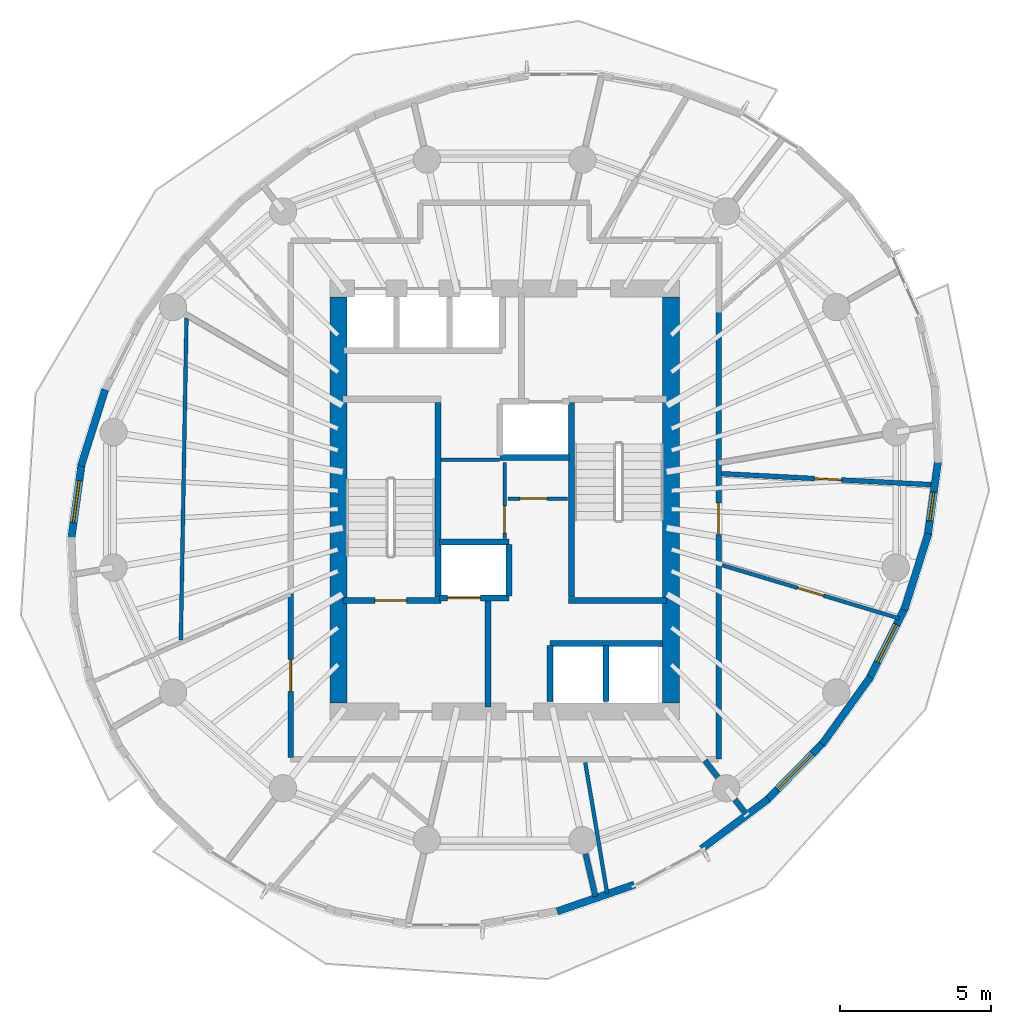
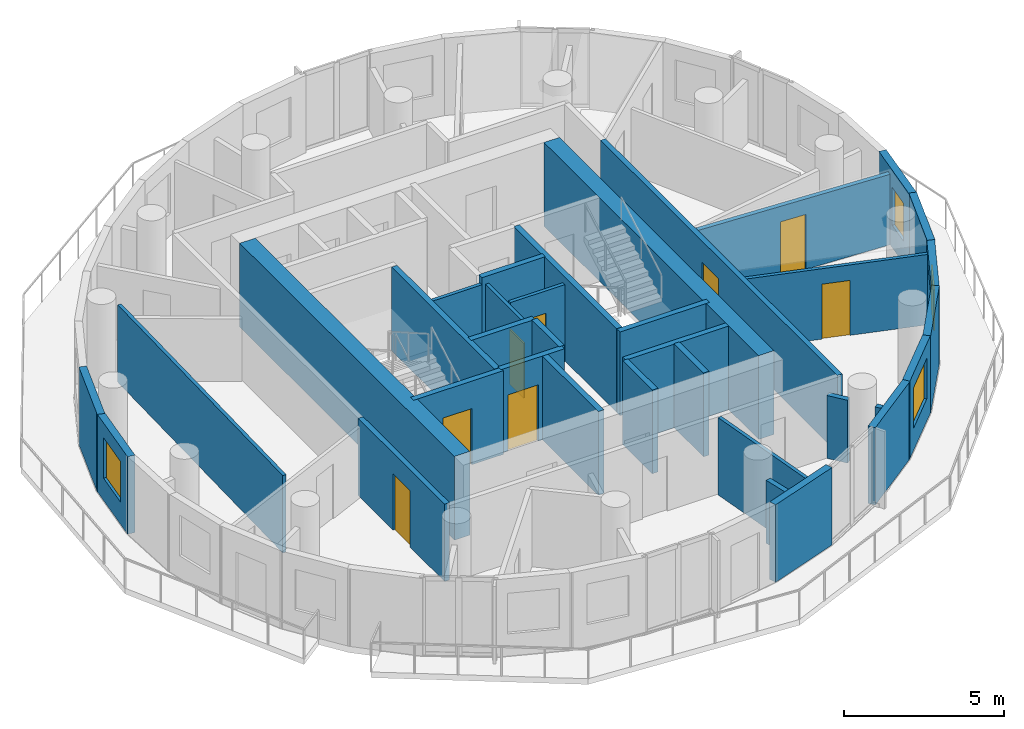
# One storey, part 5 of 10: 35 walls, 8 doors, 4 windows, 12 openings.
"""IFC4 building model written with IfcOpenShell, lengths in metres."""

from ifc_helpers import new_model, si_unit, direction, frame, frame_2d, origin, place, context, subcontext, project, spatial, rectangle, extrude, material, layer, layer_set, type_object, element, fill, save


model = new_model("IFC4")

# Units and contexts
model_context = context("Model", 3, precision=1e-05, world=origin(), true_north=direction((0.0, 1.0)))
body_context = subcontext(model_context, "Body", "Model", "MODEL_VIEW")
ifc_project = project(units=[si_unit("LENGTHUNIT", "METRE"), si_unit("AREAUNIT", "SQUARE_METRE"), si_unit("VOLUMEUNIT", "CUBIC_METRE"), si_unit("PLANEANGLEUNIT", "RADIAN"), si_unit("MASSUNIT", "GRAM", prefix="KILO")], contexts=[model_context])

# Site, building, storey
site_placement = place(None, origin())
site = spatial("IfcSite", under=ifc_project, at=site_placement, CompositionType="ELEMENT")
building_placement = place(site_placement, origin())
building = spatial("IfcBuilding", under=site, at=building_placement, Name="Veldorim Arch Residences", CompositionType="ELEMENT")
storey_placement = place(building_placement, frame((0.0, 0.0, 169.43994140625)))
storey = spatial("IfcBuildingStorey", under=building, at=storey_placement, Name="L50", CompositionType="ELEMENT", Elevation=169.43994140625)

# Wall, opening, door
ifc_material_1 = material(Name="Acoustic Gypsum Board", Category="gypsum")
ifc_layer_1 = layer(ifc_material_1, 0.125, Name="Acoustic Stud Room Partition Wall 125")
ifc_layer_set_1 = layer_set([ifc_layer_1], Name="Acoustic Gypsum Board")
wall_type_1 = type_object("IfcWallType", Name="Acoustic Stud Room Partition Wall 125", PredefinedType="PARTITIONING", material=ifc_layer_set_1)
wall_1_placement = place(storey_placement, frame((32.0, 22.719970703125, 0.0), z_axis=(0.0, 0.0, 1.0), x_axis=(0.0, 1.0, 0.0)))
wall_1 = element("IfcWall", 1, at=wall_1_placement, inside=storey, type_object=wall_type_1, Name="L50 interior wall WL-CA-L50-1", PredefinedType="PARTITIONING", context=body_context, shape_type="SweptSolid", body=[
    extrude(rectangle(XDim=2.52001953125, YDim=0.125, at=frame_2d((1.260009765625, 0.0))), origin(), (0.0, 0.0, 1.0), 2.955078125),
])
opening_1_placement = place(wall_1_placement, frame((0.179931640625, 0.0, 0.0)))
opening_1 = element("IfcOpeningElement", 2, at=opening_1_placement, cuts=wall_1, Name="Opening DR-SVC", PredefinedType="OPENING", context=body_context, shape_type="SweptSolid", body=[
    extrude(rectangle(XDim=0.89990234375, YDim=2.10009765625, at=frame_2d((0.449951171875, 1.050048828125))), frame((0.0, 0.072509765625, 0.0), z_axis=(0.0, -1.0, 0.0), x_axis=(1.0, 0.0, 0.0)), (0.0, 0.0, 1.0), 0.14501953125),
])
ifc_material_2 = material(Name="Fire-Rated Steel", Category="steel")
door_type_1 = type_object("IfcDoorType", Name="Riser, Shelter & Plant Room Rated Steel Door 900x2100", OperationType="SINGLE_SWING_LEFT", PredefinedType="DOOR", material=ifc_material_2)
door_1_placement = place(opening_1_placement, origin())
door_1 = element("IfcDoor", 3, at=door_1_placement, inside=storey, type_object=door_type_1, Name="L50 interior door DR-L50-CA2", OperationType="SINGLE_SWING_RIGHT", OverallHeight=2.10009765625, OverallWidth=0.89990234375, PredefinedType="DOOR", context=body_context, shape_type="SweptSolid", body=[
    extrude(rectangle(XDim=0.89990234375, YDim=2.10009765625, at=frame_2d((0.449951171875, 1.050048828125))), frame((0.0, 0.02490234375, 0.0), z_axis=(0.0, -1.0, 0.0), x_axis=(1.0, 0.0, 0.0)), (0.0, 0.0, 1.0), 0.050048828125),
])
fill(opening_1, door_1)

wall_2_placement = place(storey_placement, frame((32.110107421875, 24.0400390625, 0.0), z_axis=(0.0, 0.0, 1.0), x_axis=(1.0, 0.0, 0.0)))
wall_2 = element("IfcWall", 4, at=wall_2_placement, inside=storey, type_object=wall_type_1, Name="L50 interior wall WL-CA-L50-3", PredefinedType="PARTITIONING", context=body_context, shape_type="SweptSolid", body=[
    extrude(rectangle(XDim=1.969970703125, YDim=0.125, at=frame_2d((0.98486328125, 0.0))), origin(), (0.0, 0.0, 1.0), 2.955078125),
])
opening_2_placement = place(wall_2_placement, frame((0.389892578125, 0.0, 0.0)))
opening_2 = element("IfcOpeningElement", 5, at=opening_2_placement, cuts=wall_2, Name="Opening DR-INT", PredefinedType="OPENING", context=body_context, shape_type="SweptSolid", body=[
    extrude(rectangle(XDim=0.89990234375, YDim=2.10009765625, at=frame_2d((0.449951171875, 1.050048828125))), frame((0.0, 0.072509765625, 0.0), z_axis=(0.0, -1.0, 0.0), x_axis=(1.0, 0.0, 0.0)), (0.0, 0.0, 1.0), 0.14501953125),
])
ifc_material_3 = material(Name="Engineered Timber", Category="wood")
door_type_2 = type_object("IfcDoorType", Name="Apartment Internal Room Timber Door 900x2100", OperationType="SINGLE_SWING_LEFT", PredefinedType="DOOR", material=ifc_material_3)
door_2_placement = place(opening_2_placement, origin())
door_2 = element("IfcDoor", 6, at=door_2_placement, inside=storey, type_object=door_type_2, Name="L50 interior door DR-L50-CA1", OperationType="SINGLE_SWING_LEFT", OverallHeight=2.10009765625, OverallWidth=0.89990234375, PredefinedType="DOOR", context=body_context, shape_type="SweptSolid", body=[
    extrude(rectangle(XDim=0.89990234375, YDim=2.10009765625, at=frame_2d((0.449951171875, 1.050048828125))), frame((0.0, 0.02490234375, 0.0), z_axis=(0.0, -1.0, 0.0), x_axis=(1.0, 0.0, 0.0)), (0.0, 0.0, 1.0), 0.050048828125),
])
fill(opening_2, door_2)

# Walls
wall_3_placement = place(storey_placement, frame((29.889892578125, 25.330078125, 0.0), z_axis=(0.0, 0.0, 1.0), x_axis=(1.0, 0.0, 0.0)))
element("IfcWall", 7, at=wall_3_placement, inside=storey, type_object=wall_type_1, Name="L50 interior wall WL-CA-L50-N", PredefinedType="PARTITIONING", context=body_context, shape_type="SweptSolid", body=[
    extrude(rectangle(XDim=1.940185546875, YDim=0.125, at=frame_2d((0.97021484375, 0.0))), origin(), (0.0, 0.0, 1.0), 2.955078125),
])
wall_4_placement = place(storey_placement, frame((35.3935546875, 10.964599609375, 0.0), z_axis=(0.0, 0.0, 1.0), x_axis=(-0.164741128257, 0.986336839351, 0.0)))
element("IfcWall", 8, at=wall_4_placement, inside=storey, type_object=wall_type_1, Name="L50 interior wall WL-RES-L50-011", PredefinedType="PARTITIONING", context=body_context, shape_type="SweptSolid", body=[
    extrude(rectangle(XDim=4.39697265625, YDim=0.125, at=frame_2d((2.198486328125, 0.0))), origin(), (0.0, 0.0, 1.0), 2.955078125),
])

# Wall, opening, door
wall_5_placement = place(storey_placement, frame((45.06103515625, 20.07666015625, 0.0), z_axis=(0.0, 0.0, 1.0), x_axis=(-0.957731888454, 0.287662353878, 0.0)))
wall_5 = element("IfcWall", 9, at=wall_5_placement, inside=storey, type_object=wall_type_1, Name="L50 interior wall WL-RES-L50-015", PredefinedType="PARTITIONING", context=body_context, shape_type="SweptSolid", body=[
    extrude(rectangle(XDim=6.125, YDim=0.125, at=frame_2d((3.0625, 0.0))), origin(), (0.0, 0.0, 1.0), 2.692138671875),
])
opening_3_placement = place(wall_5_placement, frame((2.612548828125, 0.0, 0.0)))
opening_3 = element("IfcOpeningElement", 10, at=opening_3_placement, cuts=wall_5, Name="Opening DR-INT", PredefinedType="OPENING", context=body_context, shape_type="SweptSolid", body=[
    extrude(rectangle(XDim=0.89990234375, YDim=2.10009765625, at=frame_2d((0.449951171875, 1.050048828125))), frame((0.0, 0.072509765625, 0.0), z_axis=(0.0, -1.0, 0.0), x_axis=(1.0, 0.0, 0.0)), (0.0, 0.0, 1.0), 0.14501953125),
])
door_3_placement = place(opening_3_placement, origin())
door_3 = element("IfcDoor", 11, at=door_3_placement, inside=storey, type_object=door_type_2, Name="L50 interior door DR-RES-L50-005", OperationType="SINGLE_SWING_LEFT", OverallHeight=2.10009765625, OverallWidth=0.89990234375, PredefinedType="DOOR", context=body_context, shape_type="SweptSolid", body=[
    extrude(rectangle(XDim=0.89990234375, YDim=2.10009765625, at=frame_2d((0.449951171875, 1.050048828125))), frame((0.0, 0.02490234375, 0.0), z_axis=(0.0, -1.0, 0.0), x_axis=(1.0, 0.0, 0.0)), (0.0, 0.0, 1.0), 0.050048828125),
])
fill(opening_3, door_3)

# Walls
wall_6_placement = place(storey_placement, frame((21.46923828125, 30.0185546875, 0.0), z_axis=(0.0, 0.0, 1.0), x_axis=(-0.017526694913, -0.999846395686, 0.0)))
element("IfcWall", 12, at=wall_6_placement, inside=storey, type_object=wall_type_1, Name="L50 interior wall WL-RES-L50-027", PredefinedType="PARTITIONING", context=body_context, shape_type="SweptSolid", body=[
    extrude(rectangle(XDim=10.65625, YDim=0.125, at=frame_2d((5.328125, 0.0))), origin(), (0.0, 0.0, 1.0), 2.955078125),
])
ifc_material_4 = material(Name="Lightweight Masonry Block & Gypsum", Category="masonry")
ifc_layer_2 = layer(ifc_material_4, 0.179931640625, Name="Compartment & Corridor Fire-Rated Party Wall 180")
ifc_layer_set_2 = layer_set([ifc_layer_2], Name="Lightweight Masonry Block & Gypsum")
wall_type_2 = type_object("IfcWallType", Name="Compartment & Corridor Fire-Rated Party Wall 180", PredefinedType="PARTITIONING", material=ifc_layer_set_2)
wall_7_placement = place(storey_placement, frame((34.679931640625, 12.282470703125, 0.0), z_axis=(0.0, 0.0, 1.0), x_axis=(0.22299884629, -0.974818708557, 0.0)))
element("IfcWall", 13, at=wall_7_placement, inside=storey, type_object=wall_type_2, Name="L50 interior wall WL-PIER-L50-13", PredefinedType="PARTITIONING", context=body_context, shape_type="SweptSolid", body=[
    extrude(rectangle(XDim=1.447265625, YDim=0.179931640625, at=frame_2d((0.7236328125, 0.0))), origin(), (0.0, 0.0, 1.0), 2.403564453125),
])
wall_8_placement = place(storey_placement, frame((39.619873046875, 14.08203125, 0.0), z_axis=(0.0, 0.0, 1.0), x_axis=(0.609274747308, -0.792959193334, 0.0)))
element("IfcWall", 14, at=wall_8_placement, inside=storey, type_object=wall_type_2, Name="L50 interior wall WL-PIER-L50-14", PredefinedType="PARTITIONING", context=body_context, shape_type="SweptSolid", body=[
    extrude(rectangle(XDim=0.595458984375, YDim=0.179931640625, at=frame_2d((0.2978515625, 0.0))), origin(), (0.0, 0.0, 1.0), 2.403564453125),
])

# Wall, opening, door
wall_9_placement = place(storey_placement, frame((39.080078125, 30.247802734375, 0.0), z_axis=(0.0, 0.0, 1.0), x_axis=(0.0, -1.0, 0.0)))
wall_9 = element("IfcWall", 15, at=wall_9_placement, inside=storey, type_object=wall_type_2, Name="L50 interior wall WL-RES-L50-002", PredefinedType="PARTITIONING", context=body_context, shape_type="SweptSolid", body=[
    extrude(rectangle(XDim=14.827880859375, YDim=0.179931640625, at=frame_2d((7.4140625, 0.0))), origin(), (0.0, 0.0, 1.0), 2.955078125),
])
opening_4_placement = place(wall_9_placement, frame((6.3505859375, 0.0, 0.0)))
opening_4 = element("IfcOpeningElement", 16, at=opening_4_placement, cuts=wall_9, Name="Opening DR-FLT", PredefinedType="OPENING", context=body_context, shape_type="SweptSolid", body=[
    extrude(rectangle(XDim=1.050048828125, YDim=2.14990234375, at=frame_2d((0.52490234375, 1.074951171875))), frame((0.0, 0.099853515625, 0.0), z_axis=(0.0, -1.0, 0.0), x_axis=(1.0, 0.0, 0.0)), (0.0, 0.0, 1.0), 0.199951171875),
])
ifc_material_5 = material(Name="Fire-Rated Timber", Category="wood")
door_type_3 = type_object("IfcDoorType", Name="Apartment Entrance Solid-Core Fire Door 1050x2150", OperationType="SINGLE_SWING_LEFT", PredefinedType="DOOR", material=ifc_material_5)
door_4_placement = place(opening_4_placement, origin())
door_4 = element("IfcDoor", 17, at=door_4_placement, inside=storey, type_object=door_type_3, Name="L50 interior door DR-RES-L50-003", OperationType="SINGLE_SWING_LEFT", OverallHeight=2.14990234375, OverallWidth=1.050048828125, PredefinedType="DOOR", context=body_context, shape_type="SweptSolid", body=[
    extrude(rectangle(XDim=1.050048828125, YDim=2.14990234375, at=frame_2d((0.52490234375, 1.074951171875))), frame((0.0, 0.02490234375, 0.0), z_axis=(0.0, -1.0, 0.0), x_axis=(1.0, 0.0, 0.0)), (0.0, 0.0, 1.0), 0.050048828125),
])
fill(opening_4, door_4)

wall_10_placement = place(storey_placement, frame((24.919921875, 15.47998046875, 0.0), z_axis=(0.0, 0.0, 1.0), x_axis=(0.0, 1.0, 0.0)))
wall_10 = element("IfcWall", 18, at=wall_10_placement, inside=storey, type_object=wall_type_2, Name="L50 interior wall WL-RES-L50-010", PredefinedType="PARTITIONING", context=body_context, shape_type="SweptSolid", body=[
    extrude(rectangle(XDim=5.411865234375, YDim=0.179931640625, at=frame_2d((2.7060546875, 0.0))), origin(), (0.0, 0.0, 1.0), 2.955078125),
])
opening_5_placement = place(wall_10_placement, frame((2.180908203125, 0.0, 0.0)))
opening_5 = element("IfcOpeningElement", 19, at=opening_5_placement, cuts=wall_10, Name="Opening DR-FLT", PredefinedType="OPENING", context=body_context, shape_type="SweptSolid", body=[
    extrude(rectangle(XDim=1.050048828125, YDim=2.14990234375, at=frame_2d((0.52490234375, 1.074951171875))), frame((0.0, 0.099853515625, 0.0), z_axis=(0.0, -1.0, 0.0), x_axis=(1.0, 0.0, 0.0)), (0.0, 0.0, 1.0), 0.199951171875),
])
door_5_placement = place(opening_5_placement, origin())
door_5 = element("IfcDoor", 20, at=door_5_placement, inside=storey, type_object=door_type_3, Name="L50 interior door DR-RES-L50-013", OperationType="SINGLE_SWING_LEFT", OverallHeight=2.14990234375, OverallWidth=1.050048828125, PredefinedType="DOOR", context=body_context, shape_type="SweptSolid", body=[
    extrude(rectangle(XDim=1.050048828125, YDim=2.14990234375, at=frame_2d((0.52490234375, 1.074951171875))), frame((0.0, 0.02490234375, 0.0), z_axis=(0.0, -1.0, 0.0), x_axis=(1.0, 0.0, 0.0)), (0.0, 0.0, 1.0), 0.050048828125),
])
fill(opening_5, door_5)

# Walls
wall_11_placement = place(storey_placement, frame((38.62841796875, 15.372314453125, 0.0), z_axis=(0.0, 0.0, 1.0), x_axis=(0.609304996033, -0.792935950635, 0.0)))
element("IfcWall", 21, at=wall_11_placement, inside=storey, type_object=wall_type_2, Name="L50 interior wall WL-RES-L50-012", PredefinedType="PARTITIONING", context=body_context, shape_type="SweptSolid", body=[
    extrude(rectangle(XDim=0.697998046875, YDim=0.179931640625, at=frame_2d((0.34912109375, 0.0))), origin(), (0.0, 0.0, 1.0), 2.403564453125),
])
ifc_material_6 = material(Name="Concrete C50/60", Category="concrete")
ifc_layer_3 = layer(ifc_material_6, 0.199951171875, Name="Core Stair & Lift Shaft Enclosure Wall 200")
ifc_layer_set_3 = layer_set([ifc_layer_3], Name="Concrete C50/60")
wall_type_3 = type_object("IfcWallType", Name="Core Stair & Lift Shaft Enclosure Wall 200", PredefinedType="SHEAR", material=ifc_layer_set_3)
wall_12_placement = place(storey_placement, frame((29.7900390625, 20.780029296875, 0.0), z_axis=(0.0, 0.0, 1.0), x_axis=(0.0, 1.0, 0.0)))
element("IfcWall", 22, at=wall_12_placement, inside=storey, type_object=wall_type_3, Name="L50 shaft wall WL-SHF-L50-ST1-E", PredefinedType="SHEAR", context=body_context, shape_type="SweptSolid", body=[
    extrude(rectangle(XDim=6.43994140625, YDim=0.199951171875, at=frame_2d((3.219970703125, 0.0))), origin(), (0.0, 0.0, 1.0), 3.199951171875),
])

# Wall, opening, door
wall_13_placement = place(storey_placement, frame((26.64990234375, 20.669921875, 0.0), z_axis=(0.0, 0.0, 1.0), x_axis=(1.0, 0.0, 0.0)))
wall_13 = element("IfcWall", 23, at=wall_13_placement, inside=storey, type_object=wall_type_3, Name="L50 shaft wall WL-SHF-L50-ST1-S", PredefinedType="SHEAR", context=body_context, shape_type="SweptSolid", body=[
    extrude(rectangle(XDim=3.239990234375, YDim=0.199951171875, at=frame_2d((1.6201171875, 0.0))), origin(), (0.0, 0.0, 1.0), 3.199951171875),
])
opening_6_placement = place(wall_13_placement, frame((1.054931640625, 0.0, 0.0)))
opening_6 = element("IfcOpeningElement", 24, at=opening_6_placement, cuts=wall_13, Name="Opening DR-ST", PredefinedType="OPENING", context=body_context, shape_type="SweptSolid", body=[
    extrude(rectangle(XDim=1.050048828125, YDim=2.14990234375, at=frame_2d((0.52490234375, 1.074951171875))), frame((0.0, 0.10986328125, 0.0), z_axis=(0.0, -1.0, 0.0), x_axis=(1.0, 0.0, 0.0)), (0.0, 0.0, 1.0), 0.219970703125),
])
ifc_material_7 = material(Name="Fire-Rated Steel", Category="steel")
door_type_4 = type_object("IfcDoorType", Name="Exit Staircase Self-Closing Fire Door 1050x2150", OperationType="SINGLE_SWING_LEFT", PredefinedType="DOOR", material=ifc_material_7)
door_6_placement = place(opening_6_placement, origin())
door_6 = element("IfcDoor", 25, at=door_6_placement, inside=storey, type_object=door_type_4, Name="L50 interior door DR-L50-ST1", OperationType="SINGLE_SWING_LEFT", OverallHeight=2.14990234375, OverallWidth=1.050048828125, PredefinedType="DOOR", context=body_context, shape_type="SweptSolid", body=[
    extrude(rectangle(XDim=1.050048828125, YDim=2.14990234375, at=frame_2d((0.52490234375, 1.074951171875))), frame((0.0, 0.02490234375, 0.0), z_axis=(0.0, -1.0, 0.0), x_axis=(1.0, 0.0, 0.0)), (0.0, 0.0, 1.0), 0.050048828125),
])
fill(opening_6, door_6)

# Walls
wall_14_placement = place(storey_placement, frame((34.2099609375, 20.780029296875, 0.0), z_axis=(0.0, 0.0, 1.0), x_axis=(0.0, 1.0, 0.0)))
element("IfcWall", 26, at=wall_14_placement, inside=storey, type_object=wall_type_3, Name="L50 shaft wall WL-SHF-L50-ST2-W", PredefinedType="SHEAR", context=body_context, shape_type="SweptSolid", body=[
    extrude(rectangle(XDim=6.43994140625, YDim=0.199951171875, at=frame_2d((3.219970703125, 0.0))), origin(), (0.0, 0.0, 1.0), 3.199951171875),
])
wall_15_placement = place(storey_placement, frame((34.110107421875, 20.669921875, 0.0), z_axis=(0.0, 0.0, 1.0), x_axis=(1.0, 0.0, 0.0)))
element("IfcWall", 27, at=wall_15_placement, inside=storey, type_object=wall_type_3, Name="L50 shaft wall WL-SHF-L50-ST2-S", PredefinedType="SHEAR", context=body_context, shape_type="SweptSolid", body=[
    extrude(rectangle(XDim=3.239990234375, YDim=0.199951171875, at=frame_2d((1.6201171875, 0.0))), origin(), (0.0, 0.0, 1.0), 3.199951171875),
])
wall_16_placement = place(storey_placement, frame((31.449951171875, 17.14990234375, 0.0), z_axis=(0.0, 0.0, 1.0), x_axis=(0.0, 1.0, 0.0)))
element("IfcWall", 28, at=wall_16_placement, inside=storey, type_object=wall_type_3, Name="L50 shaft wall WL-FFL1-L50-E", PredefinedType="SHEAR", context=body_context, shape_type="SweptSolid", body=[
    extrude(rectangle(XDim=3.5, YDim=0.199951171875, at=frame_2d((1.75, 0.0))), origin(), (0.0, 0.0, 1.0), 3.199951171875),
])

# Wall, opening, door
wall_17_placement = place(storey_placement, frame((29.85009765625, 20.75, 0.0), z_axis=(0.0, 0.0, 1.0), x_axis=(1.0, 0.0, 0.0)))
wall_17 = element("IfcWall", 29, at=wall_17_placement, inside=storey, type_object=wall_type_3, Name="L50 shaft wall WL-FL01-L50-S", PredefinedType="SHEAR", context=body_context, shape_type="SweptSolid", body=[
    extrude(rectangle(XDim=2.2998046875, YDim=0.199951171875, at=frame_2d((1.14990234375, 0.0))), origin(), (0.0, 0.0, 1.0), 3.199951171875),
])
opening_7_placement = place(wall_17_placement, frame((0.25, 0.0, 0.0)))
opening_7 = element("IfcOpeningElement", 30, at=opening_7_placement, cuts=wall_17, Name="Opening LD-FF", PredefinedType="OPENING", context=body_context, shape_type="SweptSolid", body=[
    extrude(rectangle(XDim=1.10009765625, YDim=2.14990234375, at=frame_2d((0.550048828125, 1.074951171875))), frame((0.0, 0.10986328125, 0.0), z_axis=(0.0, -1.0, 0.0), x_axis=(1.0, 0.0, 0.0)), (0.0, 0.0, 1.0), 0.219970703125),
])
ifc_material_8 = material(Name="Stainless Steel", Category="steel")
door_type_5 = type_object("IfcDoorType", Name="Firefighting Lift Bi-Parting Sliding Landing Door 1100x2150", OperationType="DOUBLE_DOOR_SLIDING", PredefinedType="DOOR", material=ifc_material_8)
door_7_placement = place(opening_7_placement, origin())
door_7 = element("IfcDoor", 31, at=door_7_placement, inside=storey, type_object=door_type_5, Name="L50 lift landing door LD-L50-FL01", OperationType="DOUBLE_DOOR_SLIDING", OverallHeight=2.14990234375, OverallWidth=1.10009765625, PredefinedType="DOOR", context=body_context, shape_type="SweptSolid", body=[
    extrude(rectangle(XDim=1.10009765625, YDim=2.14990234375, at=frame_2d((0.550048828125, 1.074951171875))), frame((0.0, 0.02490234375, 0.0), z_axis=(0.0, -1.0, 0.0), x_axis=(1.0, 0.0, 0.0)), (0.0, 0.0, 1.0), 0.050048828125),
])
fill(opening_7, door_7)

# Walls
wall_18_placement = place(storey_placement, frame((29.85009765625, 22.60009765625, 0.0), z_axis=(0.0, 0.0, 1.0), x_axis=(1.0, 0.0, 0.0)))
element("IfcWall", 32, at=wall_18_placement, inside=storey, type_object=wall_type_3, Name="L50 shaft wall WL-FL01-L50-N", PredefinedType="SHEAR", context=body_context, shape_type="SweptSolid", body=[
    extrude(rectangle(XDim=2.2998046875, YDim=0.199951171875, at=frame_2d((1.14990234375, 0.0))), origin(), (0.0, 0.0, 1.0), 3.199951171875),
])
wall_19_placement = place(storey_placement, frame((32.14990234375, 20.820068359375, 0.0), z_axis=(0.0, 0.0, 1.0), x_axis=(0.0, 1.0, 0.0)))
element("IfcWall", 33, at=wall_19_placement, inside=storey, type_object=wall_type_3, Name="L50 shaft wall WL-FL01-L50-E", PredefinedType="SHEAR", context=body_context, shape_type="SweptSolid", body=[
    extrude(rectangle(XDim=1.7099609375, YDim=0.199951171875, at=frame_2d((0.85498046875, 0.0))), origin(), (0.0, 0.0, 1.0), 3.199951171875),
])
wall_20_placement = place(storey_placement, frame((31.85009765625, 25.39990234375, 0.0), z_axis=(0.0, 0.0, 1.0), x_axis=(1.0, 0.0, 0.0)))
element("IfcWall", 34, at=wall_20_placement, inside=storey, type_object=wall_type_3, Name="L50 shaft wall WL-FL02-L50-S", PredefinedType="SHEAR", context=body_context, shape_type="SweptSolid", body=[
    extrude(rectangle(XDim=2.2998046875, YDim=0.199951171875, at=frame_2d((1.14990234375, 0.0))), origin(), (0.0, 0.0, 1.0), 3.199951171875),
])
wall_21_placement = place(storey_placement, frame((33.5, 19.25, 0.0), z_axis=(0.0, 0.0, 1.0), x_axis=(1.0, 0.0, 0.0)))
element("IfcWall", 35, at=wall_21_placement, inside=storey, type_object=wall_type_3, Name="L50 shaft wall WL-OL-L50-N", PredefinedType="SHEAR", context=body_context, shape_type="SweptSolid", body=[
    extrude(rectangle(XDim=3.719970703125, YDim=0.199951171875, at=frame_2d((1.85986328125, 0.0))), origin(), (0.0, 0.0, 1.0), 3.199951171875),
])
for number, where, z_axis, x_axis, name in (
    (36, (33.5, 17.320068359375, 0.0), (0.0, 0.0, 1.0), (0.0, 1.0, 0.0), "L50 shaft wall WL-OL-L50-W"),
    (37, (35.35009765625, 17.320068359375, 0.0), (0.0, 0.0, 1.0), (0.0, 1.0, 0.0), "L50 shaft wall WL-OL-L50-D1"),
):
    element("IfcWall", number, at=place(storey_placement, frame(where, z_axis=z_axis, x_axis=x_axis)), inside=storey, type_object=wall_type_3, Name=name, PredefinedType="SHEAR", context=body_context, shape_type="SweptSolid", body=[
        extrude(rectangle(XDim=1.85986328125, YDim=0.199951171875, at=frame_2d((0.929931640625, 0.0))), origin(), (0.0, 0.0, 1.0), 3.199951171875),
    ])
ifc_material_9 = material(Name="Precast concrete C40/50", Category="concrete")
ifc_layer_4 = layer(ifc_material_9, 0.25, Name="Tower Terracotta Spandrel & Pier Wall 250")
ifc_layer_set_4 = layer_set([ifc_layer_4], Name="Precast concrete C40/50")
wall_type_4 = type_object("IfcWallType", Name="Tower Terracotta Spandrel & Pier Wall 250", PredefinedType="SOLIDWALL", material=ifc_layer_set_4)
wall_22_placement = place(storey_placement, frame((17.97607421875, 25.120361328125, 0.0), z_axis=(0.0, 0.0, 1.0), x_axis=(0.300796358401, 0.953688392911, 0.0)))
element("IfcWall", 38, at=wall_22_placement, inside=storey, type_object=wall_type_4, Name="L50 terracotta facade wall 13", PredefinedType="SOLIDWALL", context=body_context, shape_type="SweptSolid", body=[
    extrude(rectangle(XDim=2.65087890625, YDim=0.25, at=frame_2d((1.325439453125, 0.0))), origin(), (0.0, 0.0, 1.0), 2.9599609375),
])

# Wall, opening, window
wall_23_placement = place(storey_placement, frame((17.64697265625, 22.660400390625, 0.0), z_axis=(0.0, 0.0, 1.0), x_axis=(0.136289981327, 0.990668986589, 0.0)))
wall_23 = element("IfcWall", 39, at=wall_23_placement, inside=storey, type_object=wall_type_4, Name="L50 terracotta facade wall 14", PredefinedType="SOLIDWALL", context=body_context, shape_type="SweptSolid", body=[
    extrude(rectangle(XDim=2.592041015625, YDim=0.25, at=frame_2d((1.2958984375, 0.0))), origin(), (0.0, 0.0, 1.0), 2.9599609375),
])
opening_8_placement = place(wall_23_placement, frame((0.595947265625, 0.0, 0.85009765625)))
opening_8 = element("IfcOpeningElement", 40, at=opening_8_placement, cuts=wall_23, Name="Opening WN-02", PredefinedType="OPENING", context=body_context, shape_type="SweptSolid", body=[
    extrude(rectangle(XDim=1.39990234375, YDim=1.550048828125, at=frame_2d((0.699951171875, 0.77490234375))), frame((0.0, 0.135009765625, 0.0), z_axis=(0.0, -1.0, 0.0), x_axis=(1.0, 0.0, 0.0)), (0.0, 0.0, 1.0), 0.27001953125),
])
ifc_material_10 = material(Name="Laminated Low-E Glass", Category="glass")
window_type_1 = type_object("IfcWindowType", Name="Residential Casement Window 1400x1550", PartitioningType="SINGLE_PANEL", PredefinedType="WINDOW", material=ifc_material_10)
window_1_placement = place(opening_8_placement, origin())
window_1 = element("IfcWindow", 41, at=window_1_placement, inside=storey, type_object=window_type_1, Name="L50 solar-control facade window 14", OverallHeight=1.550048828125, OverallWidth=1.39990234375, PartitioningType="SINGLE_PANEL", PredefinedType="WINDOW", context=body_context, shape_type="SweptSolid", body=[
    extrude(rectangle(XDim=1.39990234375, YDim=1.550048828125, at=frame_2d((0.699951171875, 0.77490234375))), frame((0.0, 0.030029296875, 0.0), z_axis=(0.0, -1.0, 0.0), x_axis=(1.0, 0.0, 0.0)), (0.0, 0.0, 1.0), 0.06005859375),
])
fill(opening_8, window_1)

# Walls
wall_24_placement = place(storey_placement, frame((36.294921875, 11.2607421875, 0.0), z_axis=(0.0, 0.0, 1.0), x_axis=(-0.945016150651, -0.327023661236, 0.0)))
element("IfcWall", 42, at=wall_24_placement, inside=storey, type_object=wall_type_4, Name="L50 terracotta facade wall 25", PredefinedType="SOLIDWALL", context=body_context, shape_type="SweptSolid", body=[
    extrude(rectangle(XDim=2.70166015625, YDim=0.25, at=frame_2d((1.350830078125, 0.0))), origin(), (0.0, 0.0, 1.0), 2.9599609375),
])
wall_25_placement = place(storey_placement, frame((40.727783203125, 14.0986328125, 0.0), z_axis=(0.0, 0.0, 1.0), x_axis=(-0.800636941996, -0.599149803564, 0.0)))
element("IfcWall", 43, at=wall_25_placement, inside=storey, type_object=wall_type_4, Name="L50 terracotta facade wall 27", PredefinedType="SOLIDWALL", context=body_context, shape_type="SweptSolid", body=[
    extrude(rectangle(XDim=2.7578125, YDim=0.25, at=frame_2d((1.37890625, 0.0))), origin(), (0.0, 0.0, 1.0), 2.9599609375),
])

# Wall, opening, window
wall_26_placement = place(storey_placement, frame((42.578857421875, 15.99462890625, 0.0), z_axis=(0.0, 0.0, 1.0), x_axis=(-0.700794099323, -0.713363603189, 0.0)))
wall_26 = element("IfcWall", 44, at=wall_26_placement, inside=storey, type_object=wall_type_4, Name="L50 terracotta facade wall 28", PredefinedType="SOLIDWALL", context=body_context, shape_type="SweptSolid", body=[
    extrude(rectangle(XDim=2.758056640625, YDim=0.25, at=frame_2d((1.37890625, 0.0))), origin(), (0.0, 0.0, 1.0), 2.9599609375),
])
opening_9_placement = place(wall_26_placement, frame((0.553955078125, 0.0, 0.85009765625)))
opening_9 = element("IfcOpeningElement", 45, at=opening_9_placement, cuts=wall_26, Name="Opening WN-03", PredefinedType="OPENING", context=body_context, shape_type="SweptSolid", body=[
    extrude(rectangle(XDim=1.64990234375, YDim=1.550048828125, at=frame_2d((0.824951171875, 0.77490234375))), frame((0.0, 0.135009765625, 0.0), z_axis=(0.0, -1.0, 0.0), x_axis=(1.0, 0.0, 0.0)), (0.0, 0.0, 1.0), 0.27001953125),
])
ifc_material_11 = material(Name="Laminated Low-E Glass", Category="glass")
window_type_2 = type_object("IfcWindowType", Name="Residential Wide Window 1650x1550", PartitioningType="SINGLE_PANEL", PredefinedType="WINDOW", material=ifc_material_11)
window_2_placement = place(opening_9_placement, origin())
window_2 = element("IfcWindow", 46, at=window_2_placement, inside=storey, type_object=window_type_2, Name="L50 solar-control facade window 28", OverallHeight=1.550048828125, OverallWidth=1.64990234375, PartitioningType="SINGLE_PANEL", PredefinedType="WINDOW", context=body_context, shape_type="SweptSolid", body=[
    extrude(rectangle(XDim=1.64990234375, YDim=1.550048828125, at=frame_2d((0.824951171875, 0.77490234375))), frame((0.0, 0.030029296875, 0.0), z_axis=(0.0, -1.0, 0.0), x_axis=(1.0, 0.0, 0.0)), (0.0, 0.0, 1.0), 0.06005859375),
])
fill(opening_9, window_2)

# Wall
wall_27_placement = place(storey_placement, frame((44.107666015625, 18.134521484375, 0.0), z_axis=(0.0, 0.0, 1.0), x_axis=(-0.583975860001, -0.811771023711, 0.0)))
element("IfcWall", 47, at=wall_27_placement, inside=storey, type_object=wall_type_4, Name="L50 terracotta facade wall 29", PredefinedType="SOLIDWALL", context=body_context, shape_type="SweptSolid", body=[
    extrude(rectangle(XDim=2.73828125, YDim=0.25, at=frame_2d((1.369140625, 0.0))), origin(), (0.0, 0.0, 1.0), 2.9599609375),
])

# Wall, opening, window
wall_28_placement = place(storey_placement, frame((45.267822265625, 20.453369140625, 0.0), z_axis=(0.0, 0.0, 1.0), x_axis=(-0.450391703917, -0.892831066352, 0.0)))
wall_28 = element("IfcWall", 48, at=wall_28_placement, inside=storey, type_object=wall_type_4, Name="L50 terracotta facade wall 30", PredefinedType="SOLIDWALL", context=body_context, shape_type="SweptSolid", body=[
    extrude(rectangle(XDim=2.70166015625, YDim=0.25, at=frame_2d((1.350830078125, 0.0))), origin(), (0.0, 0.0, 1.0), 2.9599609375),
])
opening_10_placement = place(wall_28_placement, frame((0.65087890625, 0.0, 0.85009765625)))
opening_10 = element("IfcOpeningElement", 49, at=opening_10_placement, cuts=wall_28, Name="Opening WN-02", PredefinedType="OPENING", context=body_context, shape_type="SweptSolid", body=[
    extrude(rectangle(XDim=1.39990234375, YDim=1.550048828125, at=frame_2d((0.699951171875, 0.77490234375))), frame((0.0, 0.135009765625, 0.0), z_axis=(0.0, -1.0, 0.0), x_axis=(1.0, 0.0, 0.0)), (0.0, 0.0, 1.0), 0.27001953125),
])
window_3_placement = place(opening_10_placement, origin())
window_3 = element("IfcWindow", 50, at=window_3_placement, inside=storey, type_object=window_type_1, Name="L50 solar-control facade window 30", OverallHeight=1.550048828125, OverallWidth=1.39990234375, PartitioningType="SINGLE_PANEL", PredefinedType="WINDOW", context=body_context, shape_type="SweptSolid", body=[
    extrude(rectangle(XDim=1.39990234375, YDim=1.550048828125, at=frame_2d((0.699951171875, 0.77490234375))), frame((0.0, 0.030029296875, 0.0), z_axis=(0.0, -1.0, 0.0), x_axis=(1.0, 0.0, 0.0)), (0.0, 0.0, 1.0), 0.06005859375),
])
fill(opening_10, window_3)

# Wall
wall_29_placement = place(storey_placement, frame((46.02392578125, 22.879638671875, 0.0), z_axis=(0.0, 0.0, 1.0), x_axis=(-0.300796358401, -0.953688392911, 0.0)))
element("IfcWall", 51, at=wall_29_placement, inside=storey, type_object=wall_type_4, Name="L50 terracotta facade wall 31", PredefinedType="SOLIDWALL", context=body_context, shape_type="SweptSolid", body=[
    extrude(rectangle(XDim=2.65087890625, YDim=0.25, at=frame_2d((1.325439453125, 0.0))), origin(), (0.0, 0.0, 1.0), 2.9599609375),
])

# Wall, opening, window
wall_30_placement = place(storey_placement, frame((46.35302734375, 25.339599609375, 0.0), z_axis=(0.0, 0.0, 1.0), x_axis=(-0.136289981327, -0.990668986589, 0.0)))
wall_30 = element("IfcWall", 52, at=wall_30_placement, inside=storey, type_object=wall_type_4, Name="L50 terracotta facade wall 32", PredefinedType="SOLIDWALL", context=body_context, shape_type="SweptSolid", body=[
    extrude(rectangle(XDim=2.592041015625, YDim=0.25, at=frame_2d((1.2958984375, 0.0))), origin(), (0.0, 0.0, 1.0), 2.9599609375),
])
opening_11_placement = place(wall_30_placement, frame((1.097900390625, 0.0, 0.85009765625)))
opening_11 = element("IfcOpeningElement", 53, at=opening_11_placement, cuts=wall_30, Name="Opening WN-05", PredefinedType="OPENING", context=body_context, shape_type="SweptSolid", body=[
    extrude(rectangle(XDim=0.949951171875, YDim=1.449951171875, at=frame_2d((0.47509765625, 0.72509765625))), frame((0.0, 0.135009765625, 0.0), z_axis=(0.0, -1.0, 0.0), x_axis=(1.0, 0.0, 0.0)), (0.0, 0.0, 1.0), 0.27001953125),
])
ifc_material_12 = material(Name="Laminated Low-E Glass", Category="glass")
window_type_3 = type_object("IfcWindowType", Name="Residential Compact Casement Window 950x1450", PartitioningType="SINGLE_PANEL", PredefinedType="WINDOW", material=ifc_material_12)
window_4_placement = place(opening_11_placement, origin())
window_4 = element("IfcWindow", 54, at=window_4_placement, inside=storey, type_object=window_type_3, Name="L50 solar-control facade window 32", OverallHeight=1.449951171875, OverallWidth=0.949951171875, PartitioningType="SINGLE_PANEL", PredefinedType="WINDOW", context=body_context, shape_type="SweptSolid", body=[
    extrude(rectangle(XDim=0.949951171875, YDim=1.449951171875, at=frame_2d((0.47509765625, 0.72509765625))), frame((0.0, 0.030029296875, 0.0), z_axis=(0.0, -1.0, 0.0), x_axis=(1.0, 0.0, 0.0)), (0.0, 0.0, 1.0), 0.06005859375),
])
fill(opening_11, window_4)

# Walls
ifc_material_13 = material(Name="Concrete C50/60", Category="concrete")
ifc_layer_5 = layer(ifc_material_13, 0.5, Name="Upper Central Core Shear Wall 560")
ifc_layer_set_5 = layer_set([ifc_layer_5], Name="Concrete C50/60")
wall_type_5 = type_object("IfcWallType", Name="Upper Central Core Shear Wall 560", PredefinedType="SHEAR", material=ifc_layer_set_5)
for number, where, z_axis, x_axis, name in (
    (55, (26.5, 17.280029296875, 0.0), (0.0, 0.0, 1.0), (0.0, 1.0, 0.0), "L50 central core west shear wall"),
    (56, (37.5, 17.280029296875, 0.0), (0.0, 0.0, 1.0), (0.0, 1.0, 0.0), "L50 central core east shear wall"),
):
    element("IfcWall", number, at=place(storey_placement, frame(where, z_axis=z_axis, x_axis=x_axis)), inside=storey, type_object=wall_type_5, Name=name, PredefinedType="SHEAR", context=body_context, shape_type="SweptSolid", body=[
        extrude(rectangle(XDim=13.43994140625, YDim=0.56005859375, at=frame_2d((6.719970703125, 0.0))), origin(), (0.0, 0.0, 1.0), 3.199951171875),
    ])

# Wall, opening, door
ifc_material_14 = material(Name="Moisture-Resistant Gypsum & Stud", Category="gypsum")
ifc_layer_6 = layer(ifc_material_14, 0.159912109375, Name="Wet-Area Moisture-Resistant Plumbing Wall 160")
ifc_layer_set_6 = layer_set([ifc_layer_6], Name="Moisture-Resistant Gypsum & Stud")
wall_type_6 = type_object("IfcWallType", Name="Wet-Area Moisture-Resistant Plumbing Wall 160", PredefinedType="PLUMBINGWALL", material=ifc_layer_set_6)
wall_31_placement = place(storey_placement, frame((39.179931640625, 24.86669921875, 0.0), z_axis=(0.0, 0.0, 1.0), x_axis=(0.998636225788, -0.052208127179, 0.0)))
wall_31 = element("IfcWall", 57, at=wall_31_placement, inside=storey, type_object=wall_type_6, Name="L50 interior wall WL-RES-L50-014", PredefinedType="PLUMBINGWALL", context=body_context, shape_type="SweptSolid", body=[
    extrude(rectangle(XDim=7.0517578125, YDim=0.159912109375, at=frame_2d((3.52587890625, 0.0))), origin(), (0.0, 0.0, 1.0), 2.692138671875),
])
opening_12_placement = place(wall_31_placement, frame((3.075927734375, 0.0, 0.0)))
opening_12 = element("IfcOpeningElement", 58, at=opening_12_placement, cuts=wall_31, Name="Opening DR-WC", PredefinedType="OPENING", context=body_context, shape_type="SweptSolid", body=[
    extrude(rectangle(XDim=0.89990234375, YDim=2.10009765625, at=frame_2d((0.449951171875, 1.050048828125))), frame((0.0, 0.08984375, 0.0), z_axis=(0.0, -1.0, 0.0), x_axis=(1.0, 0.0, 0.0)), (0.0, 0.0, 1.0), 0.179931640625),
])
ifc_material_15 = material(Name="Laminate Timber", Category="wood")
door_type_6 = type_object("IfcDoorType", Name="Bathroom & Accessible WC Moisture-Sealed Door 900x2100", OperationType="SINGLE_SWING_LEFT", PredefinedType="DOOR", material=ifc_material_15)
door_8_placement = place(opening_12_placement, origin())
door_8 = element("IfcDoor", 59, at=door_8_placement, inside=storey, type_object=door_type_6, Name="L50 interior door DR-RES-L50-004", OperationType="SINGLE_SWING_RIGHT", OverallHeight=2.10009765625, OverallWidth=0.89990234375, PredefinedType="DOOR", context=body_context, shape_type="SweptSolid", body=[
    extrude(rectangle(XDim=0.89990234375, YDim=2.10009765625, at=frame_2d((0.449951171875, 1.050048828125))), frame((0.0, 0.02490234375, 0.0), z_axis=(0.0, -1.0, 0.0), x_axis=(1.0, 0.0, 0.0)), (0.0, 0.0, 1.0), 0.050048828125),
])
fill(opening_12, door_8)

save(model, "model.ifc")
